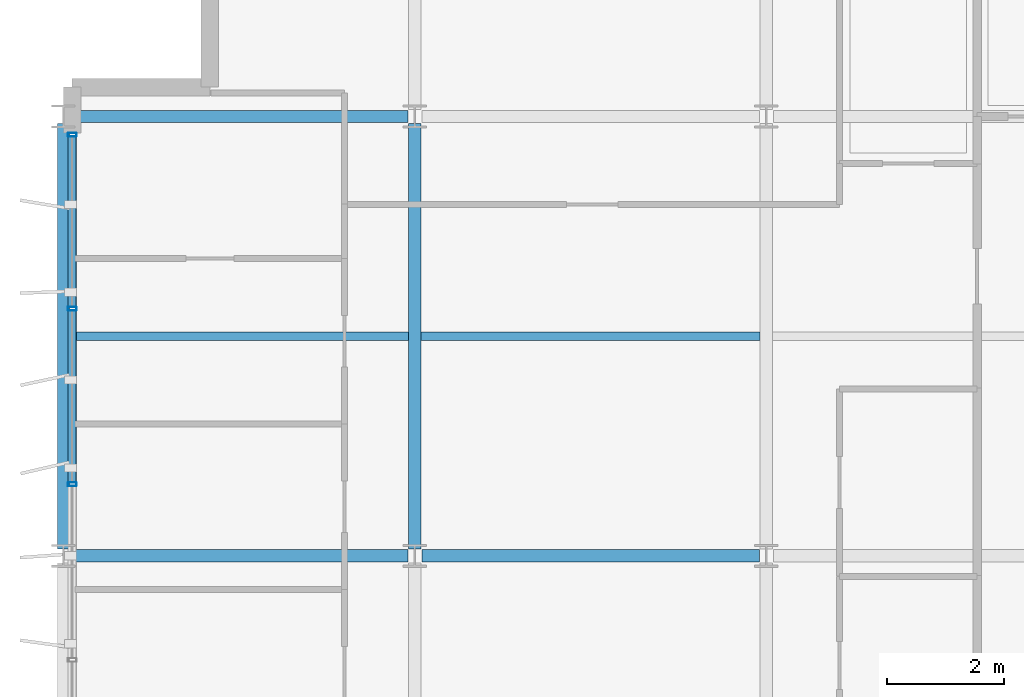
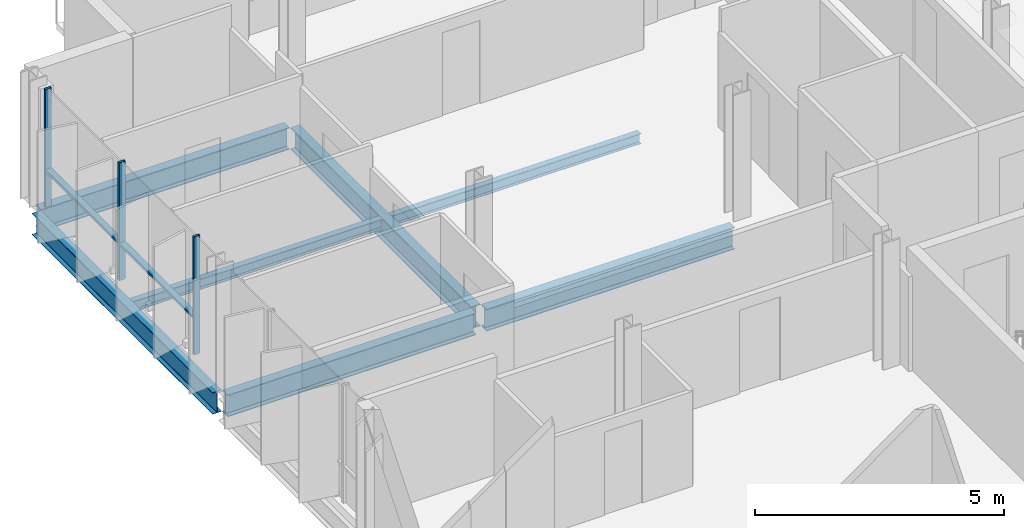
# One storey, part 6 of 38: 7 beams, 5 members, 1 element without a shape of its own.
"""IFC4 building model written with IfcOpenShell, lengths in metres."""

from ifc_helpers import new_model, si_unit, direction, frame, origin, origin_2d, place, context, subcontext, project, spatial, hollow_rectangle, i_section, extrude, material, layer, layer_set, material_profile, profile_set, type_object, element, aggregate, save


model = new_model("IFC4")

# Units and contexts
model_context = context("Model", 3, precision=1e-05, world=origin(), true_north=direction((0.0, 1.0)))
body_context = subcontext(model_context, "Body", "Model", "MODEL_VIEW")
ifc_project = project(units=[si_unit("LENGTHUNIT", "METRE"), si_unit("AREAUNIT", "SQUARE_METRE"), si_unit("VOLUMEUNIT", "CUBIC_METRE"), si_unit("PLANEANGLEUNIT", "RADIAN"), si_unit("MASSUNIT", "GRAM", prefix="KILO")], contexts=[model_context])

# Site, building, storey
site_placement = place(None, origin())
site = spatial("IfcSite", under=ifc_project, at=site_placement, CompositionType="ELEMENT")
building_placement = place(site_placement, origin())
building = spatial("IfcBuilding", under=site, at=building_placement, Name="Brevholm Reach", CompositionType="ELEMENT")
storey_placement = place(building_placement, frame((0.0, 0.0, 186.300048828125)))
storey = spatial("IfcBuildingStorey", under=building, at=storey_placement, Name="L56", CompositionType="ELEMENT", Elevation=186.300048828125)

# Beams
ifc_material_1 = material(Name="Structural Steel S355J2", Category="steel")
ifc_material_profile_1 = material_profile(ifc_material_1, i_section(OverallWidth=0.14599609375, OverallDepth=0.25146484375, WebThickness=0.006103515625, FlangeThickness=0.008544921875, FilletRadius=0.007568359375, at=origin_2d()), Name="UKB 254x146x31")
ifc_profile_set_1 = profile_set([ifc_material_profile_1], Name="Structural Steel S355J2")
beam_type_1 = type_object("IfcBeamType", Name="BM-B254", PredefinedType="BEAM", material=ifc_profile_set_1)
beam_1_placement = place(storey_placement, frame((0.104736328125, 19.75, -0.335693359375), z_axis=(1.0, 0.0, 0.0), x_axis=(0.0, 1.0, 0.0)))
element("IfcBeam", 1, at=beam_1_placement, inside=storey, type_object=beam_type_1, Name="L56 Composite Secondary Floor Beam", PredefinedType="BEAM", context=body_context, shape_type="SweptSolid", body=[
    extrude(i_section(OverallWidth=0.14599609375, OverallDepth=0.25146484375, WebThickness=0.006103515625, FlangeThickness=0.008544921875, FilletRadius=0.007568359375, at=origin_2d()), origin(), (0.0, 0.0, 1.0), 5.789794921875),
])
beam_2_placement = place(storey_placement, frame((6.10546875, 19.75, -0.335693359375), z_axis=(1.0, 0.0, 0.0), x_axis=(0.0, 1.0, 0.0)))
element("IfcBeam", 2, at=beam_2_placement, inside=storey, type_object=beam_type_1, Name="L56 Composite Secondary Floor Beam", PredefinedType="BEAM", context=body_context, shape_type="SweptSolid", body=[
    extrude(i_section(OverallWidth=0.14599609375, OverallDepth=0.25146484375, WebThickness=0.006103515625, FlangeThickness=0.008544921875, FilletRadius=0.007568359375, at=origin_2d()), origin(), (0.0, 0.0, 1.0), 5.7890625),
])
ifc_material_2 = material(Name="Structural Steel S355J2", Category="steel")
ifc_material_profile_2 = material_profile(ifc_material_2, i_section(OverallWidth=0.209228515625, OverallDepth=0.533203125, WebThickness=0.010009765625, FlangeThickness=0.015625, FilletRadius=0.0126953125, at=origin_2d()), Name="UKB 533x210x92")
ifc_profile_set_2 = profile_set([ifc_material_profile_2], Name="Structural Steel S355J2")
beam_type_2 = type_object("IfcBeamType", Name="BM-SP533", PredefinedType="SPANDREL", material=ifc_profile_set_2)
beam_3_placement = place(storey_placement, frame((0.0, 16.1201171875, -0.4765625), z_axis=(0.0, 1.0, 0.0), x_axis=(-1.0, 0.0, 0.0)))
element("IfcBeam", 3, at=beam_3_placement, inside=storey, type_object=beam_type_2, Name="L56 SP-02 Framing Beam", PredefinedType="SPANDREL", context=body_context, shape_type="SweptSolid", body=[
    extrude(i_section(OverallWidth=0.209228515625, OverallDepth=0.533203125, WebThickness=0.010009765625, FlangeThickness=0.015625, FilletRadius=0.0126953125, at=origin_2d()), origin(), (0.0, 0.0, 1.0), 7.259765625),
])
ifc_material_3 = material(Name="Structural Steel S355J2", Category="steel")
ifc_material_profile_3 = material_profile(ifc_material_3, i_section(OverallWidth=0.210693359375, OverallDepth=0.53955078125, WebThickness=0.01171875, FlangeThickness=0.018798828125, FilletRadius=0.0126953125, at=origin_2d()), Name="UKB 533x210x109")
ifc_profile_set_3 = profile_set([ifc_material_profile_3], Name="Structural Steel S355J2")
beam_type_3 = type_object("IfcBeamType", Name="BM-SP539", PredefinedType="SPANDREL", material=ifc_profile_set_3)
for number, where, z_axis, x_axis, name in (
    (4, (0.1201171875, 16.0, -0.479736328125), (1.0, 0.0, 0.0), (0.0, 1.0, 0.0), "L56 SP-01B Framing Beam"),
    (5, (6.1201171875, 16.0, -0.479736328125), (1.0, 0.0, 0.0), (0.0, 1.0, 0.0), "L56 SP-01B Framing Beam"),
    (6, (0.1201171875, 23.5, -0.479736328125), (1.0, 0.0, 0.0), (0.0, 1.0, 0.0), "L56 SP-01B Framing Beam"),
):
    element("IfcBeam", number, at=place(storey_placement, frame(where, z_axis=z_axis, x_axis=x_axis)), inside=storey, type_object=beam_type_3, Name=name, PredefinedType="SPANDREL", context=body_context, shape_type="SweptSolid", body=[
        extrude(i_section(OverallWidth=0.210693359375, OverallDepth=0.53955078125, WebThickness=0.01171875, FlangeThickness=0.018798828125, FilletRadius=0.0126953125, at=origin_2d()), origin(), (0.0, 0.0, 1.0), 5.759765625),
    ])
beam_4_placement = place(storey_placement, frame((6.0, 16.1201171875, -0.479736328125), z_axis=(0.0, 1.0, 0.0), x_axis=(-1.0, 0.0, 0.0)))
element("IfcBeam", 7, at=beam_4_placement, inside=storey, type_object=beam_type_3, Name="L56 SP-01B Framing Beam", PredefinedType="SPANDREL", context=body_context, shape_type="SweptSolid", body=[
    extrude(i_section(OverallWidth=0.210693359375, OverallDepth=0.53955078125, WebThickness=0.01171875, FlangeThickness=0.018798828125, FilletRadius=0.0126953125, at=origin_2d()), origin(), (0.0, 0.0, 1.0), 7.259765625),
])

# Curtain wall, members
ifc_material_4 = material(Name="Dark Anodised Aluminium 6063-T6 and Solar-Control Glass", Category="aluminium")
ifc_layer = layer(ifc_material_4, 0.14990234375)
ifc_layer_set = layer_set([ifc_layer], Name="Dark Anodised Aluminium 6063-T6 and Solar-Control Glass")
curtain_wall_type = type_object("IfcCurtainWallType", Name="CW-01", PredefinedType="NOTDEFINED", material=ifc_layer_set)
curtain_wall_placement = place(storey_placement, origin())
curtain_wall = element("IfcCurtainWall", 8, at=curtain_wall_placement, inside=storey, type_object=curtain_wall_type, Name="L56 Curtain Wall CW-01", PredefinedType="NOTDEFINED")
ifc_material_5 = material(Name="Dark Anodised Aluminium 6063-T6", Category="aluminium")
ifc_material_profile_4 = material_profile(ifc_material_5, hollow_rectangle(XDim=0.06494140625, YDim=0.14990234375, WallThickness=0.0048828125, InnerFilletRadius=0.0048828125, OuterFilletRadius=0.010009765625, at=origin_2d()), Name="RHS 150x65x5")
ifc_profile_set_4 = profile_set([ifc_material_profile_4], Name="Dark Anodised Aluminium 6063-T6")
member_type_1 = type_object("IfcMemberType", Name="CWM-150", PredefinedType="MULLION", material=ifc_profile_set_4)
member_1_placement = place(storey_placement, frame((0.14990234375, 23.1875, 0.0), z_axis=(0.0, 0.0, 1.0), x_axis=(0.0, -1.0, 0.0)))
member_1 = element("IfcMember", 9, at=member_1_placement, type_object=member_type_1, Name="CM-150 Mullion 1", PredefinedType="MULLION", context=body_context, shape_type="SweptSolid", body=[
    extrude(hollow_rectangle(XDim=0.06494140625, YDim=0.14990234375, WallThickness=0.0048828125, InnerFilletRadius=0.0048828125, OuterFilletRadius=0.010009765625, at=origin_2d()), origin(), (0.0, 0.0, 1.0), 2.889892578125),
])
member_2_placement = place(storey_placement, frame((0.14990234375, 20.219970703125, 0.0), z_axis=(0.0, 0.0, 1.0), x_axis=(0.0, -1.0, 0.0)))
member_2 = element("IfcMember", 10, at=member_2_placement, type_object=member_type_1, Name="CM-150 Mullion 2", PredefinedType="MULLION", context=body_context, shape_type="SweptSolid", body=[
    extrude(hollow_rectangle(XDim=0.06494140625, YDim=0.14990234375, WallThickness=0.0048828125, InnerFilletRadius=0.0048828125, OuterFilletRadius=0.010009765625, at=origin_2d()), origin(), (0.0, 0.0, 1.0), 2.889892578125),
])
member_3_placement = place(storey_placement, frame((0.14990234375, 17.219970703125, 0.0), z_axis=(0.0, 0.0, 1.0), x_axis=(0.0, -1.0, 0.0)))
member_3 = element("IfcMember", 11, at=member_3_placement, type_object=member_type_1, Name="CM-150 Mullion 3", PredefinedType="MULLION", context=body_context, shape_type="SweptSolid", body=[
    extrude(hollow_rectangle(XDim=0.06494140625, YDim=0.14990234375, WallThickness=0.0048828125, InnerFilletRadius=0.0048828125, OuterFilletRadius=0.010009765625, at=origin_2d()), origin(), (0.0, 0.0, 1.0), 2.889892578125),
])
ifc_material_6 = material(Name="Dark Anodised Aluminium 6063-T6", Category="aluminium")
ifc_material_profile_5 = material_profile(ifc_material_6, hollow_rectangle(XDim=0.06494140625, YDim=0.14990234375, WallThickness=0.0048828125, InnerFilletRadius=0.0048828125, OuterFilletRadius=0.010009765625, at=origin_2d()), Name="RHS 150x65x5")
ifc_profile_set_5 = profile_set([ifc_material_profile_5], Name="Dark Anodised Aluminium 6063-T6")
member_type_2 = type_object("IfcMemberType", Name="CWT-150", PredefinedType="NOTDEFINED", material=ifc_profile_set_5)
member_4_placement = place(storey_placement, frame((0.14990234375, 23.155029296875, 0.89990234375), z_axis=(0.0, -1.0, 0.0), x_axis=(0.0, 0.0, 1.0)))
member_4 = element("IfcMember", 12, at=member_4_placement, type_object=member_type_2, Name="CT-150 Transom 1.1", ObjectType="TRANSOM", PredefinedType="USERDEFINED", context=body_context, shape_type="SweptSolid", body=[
    extrude(hollow_rectangle(XDim=0.06494140625, YDim=0.14990234375, WallThickness=0.0048828125, InnerFilletRadius=0.0048828125, OuterFilletRadius=0.010009765625, at=origin_2d()), origin(), (0.0, 0.0, 1.0), 2.902587890625),
])
member_5_placement = place(storey_placement, frame((0.14990234375, 20.1875, 0.89990234375), z_axis=(0.0, -1.0, 0.0), x_axis=(0.0, 0.0, 1.0)))
member_5 = element("IfcMember", 13, at=member_5_placement, type_object=member_type_2, Name="CT-150 Transom 2.1", ObjectType="TRANSOM", PredefinedType="USERDEFINED", context=body_context, shape_type="SweptSolid", body=[
    extrude(hollow_rectangle(XDim=0.06494140625, YDim=0.14990234375, WallThickness=0.0048828125, InnerFilletRadius=0.0048828125, OuterFilletRadius=0.010009765625, at=origin_2d()), origin(), (0.0, 0.0, 1.0), 2.93505859375),
])
aggregate(curtain_wall, [member_1, member_2, member_3, member_4, member_5])

save(model, "model.ifc")
